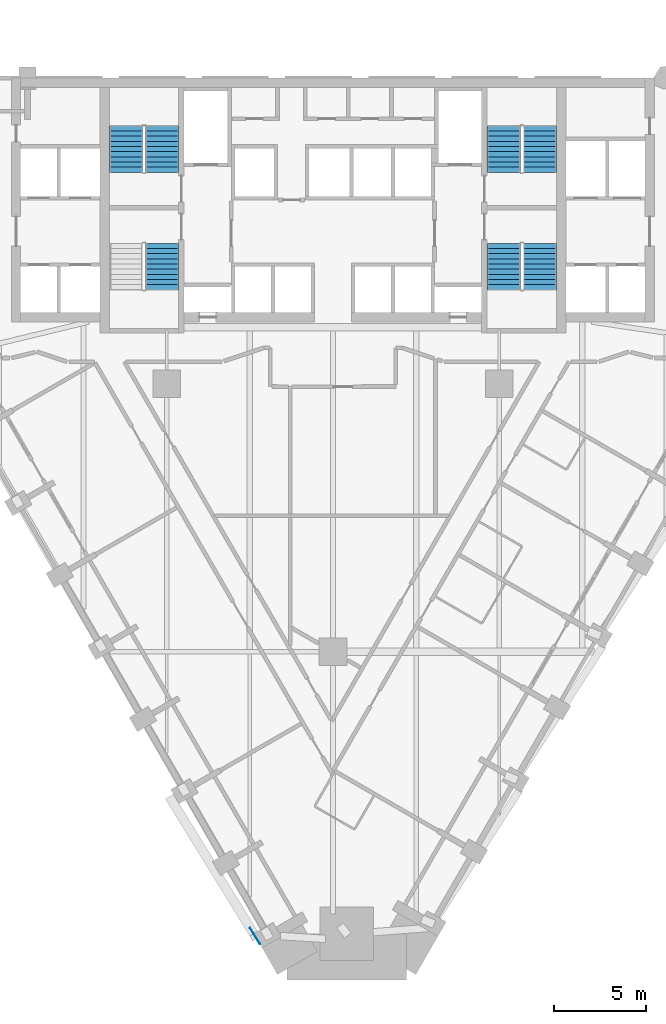
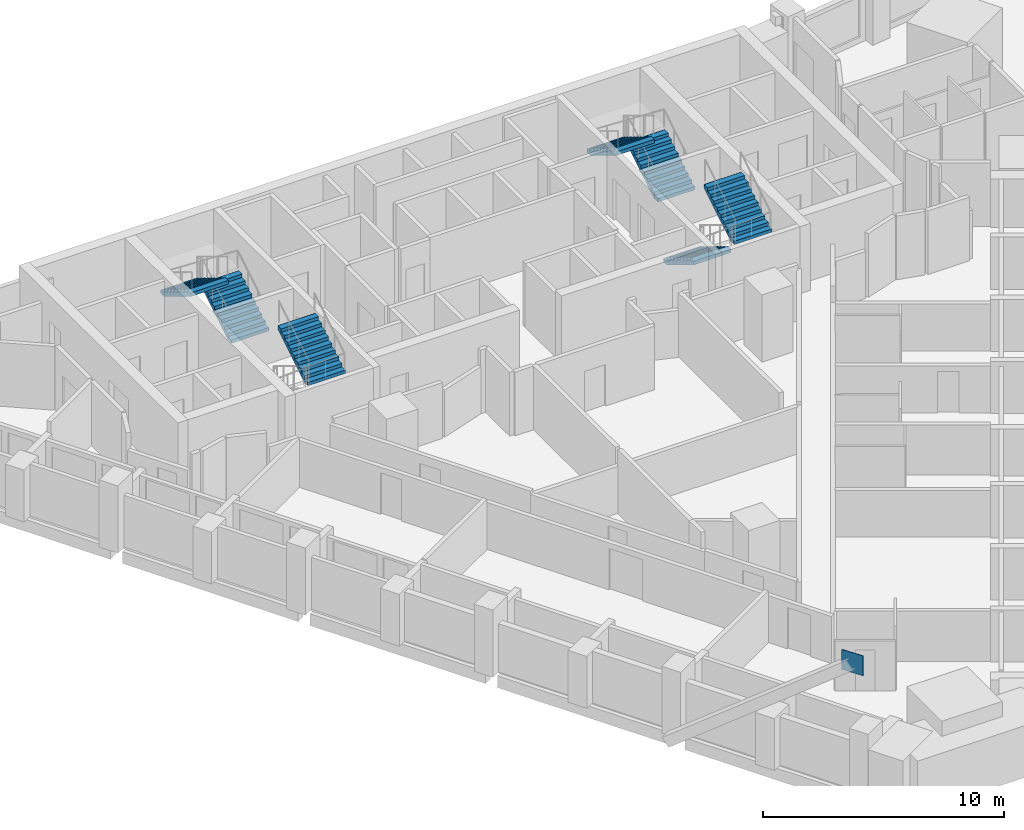
# One storey, part 10 of 11: 7 stair flights, 1 discrete accessory, 4 elements without a shape of their own.
"""IFC4 building model written with IfcOpenShell, lengths in metres."""

from ifc_helpers import new_model, si_unit, direction, frame, origin, origin_2d, place, context, subcontext, project, spatial, rectangle, extrude, faceted_brep, source, transform, mapped, material, type_object, element, aggregate, save


model = new_model("IFC4")

# Units and contexts
model_context = context("Model", 3, precision=1e-05, world=origin(), true_north=direction((0.0, 1.0)))
body_context = subcontext(model_context, "Body", "Model", "MODEL_VIEW")
ifc_project = project(units=[si_unit("LENGTHUNIT", "METRE"), si_unit("AREAUNIT", "SQUARE_METRE"), si_unit("VOLUMEUNIT", "CUBIC_METRE"), si_unit("PLANEANGLEUNIT", "RADIAN"), si_unit("MASSUNIT", "GRAM", prefix="KILO")], contexts=[model_context])

# Site, building, storey
site_placement = place(None, origin())
site = spatial("IfcSite", under=ifc_project, at=site_placement, CompositionType="ELEMENT")
building_placement = place(site_placement, origin())
building = spatial("IfcBuilding", under=site, at=building_placement, Name="Calabash Gate Tower", CompositionType="ELEMENT")
storey_placement = place(building_placement, frame((0.0, 0.0, 119.0)))
storey = spatial("IfcBuildingStorey", under=building, at=storey_placement, Name="L27", CompositionType="ELEMENT", Elevation=119.0)

# Stair, stair flights
ifc_material_1 = material(Name="Concrete C40/50", Category="concrete")
stair_type = type_object("IfcStairType", Name="Exit stair 20 risers of 170 mm", PredefinedType="HALF_TURN_STAIR", material=ifc_material_1)
stair_1_placement = place(storey_placement, origin())
stair_1 = element("IfcStair", 1, at=stair_1_placement, inside=storey, type_object=stair_type, Name="L27 Exit stair ST1", PredefinedType="HALF_TURN_STAIR")
ifc_material_2 = material(Name="Concrete C40/50", Category="concrete")
stair_flight_type = type_object("IfcStairFlightType", Name="Exit stair flight SFL", PredefinedType="STRAIGHT", material=ifc_material_2)
shared_shape = source(origin(), body_context, "Body", "Brep", [
    faceted_brep([(-0.0009765625, -0.89990234375, 0.0), (0.2880859375, -0.89990234375, 0.0), (2.511962890625, -0.89990234375, 1.3544921875), (-0.0009765625, 0.89990234375, 0.0), (2.511962890625, 0.89990234375, 1.3544921875), (0.2880859375, 0.89990234375, 0.0), (2.511962890625, -0.89990234375, 1.5419921875), (2.510986328125, -0.89990234375, 1.5419921875), (2.510986328125, 0.89990234375, 1.5419921875), (2.511962890625, 0.89990234375, 1.5419921875), (2.510986328125, -0.89990234375, 1.530029296875), (2.510986328125, 0.89990234375, 1.530029296875), (2.23193359375, -0.89990234375, 1.530029296875), (2.23193359375, 0.89990234375, 1.530029296875), (2.23193359375, -0.89990234375, 1.360107421875), (2.23193359375, 0.89990234375, 1.360107421875), (1.952880859375, -0.89990234375, 1.360107421875), (1.952880859375, 0.89990234375, 1.360107421875), (1.952880859375, -0.89990234375, 1.18994140625), (1.952880859375, 0.89990234375, 1.18994140625), (1.674072265625, -0.89990234375, 1.18994140625), (1.674072265625, -0.89990234375, 1.02001953125), (1.674072265625, 0.89990234375, 1.02001953125), (1.674072265625, 0.89990234375, 1.18994140625), (1.39501953125, -0.89990234375, 1.02001953125), (1.39501953125, -0.89990234375, 0.85009765625), (1.39501953125, 0.89990234375, 0.85009765625), (1.39501953125, 0.89990234375, 1.02001953125), (1.115966796875, -0.89990234375, 0.85009765625), (1.115966796875, -0.89990234375, 0.679931640625), (1.115966796875, 0.89990234375, 0.679931640625), (1.115966796875, 0.89990234375, 0.85009765625), (0.8369140625, -0.89990234375, 0.679931640625), (0.8369140625, -0.89990234375, 0.510009765625), (0.8369140625, 0.89990234375, 0.510009765625), (0.8369140625, 0.89990234375, 0.679931640625), (0.55810546875, -0.89990234375, 0.510009765625), (0.55810546875, -0.89990234375, 0.340087890625), (0.55810546875, 0.89990234375, 0.340087890625), (0.55810546875, 0.89990234375, 0.510009765625), (0.279052734375, -0.89990234375, 0.340087890625), (0.279052734375, -0.89990234375, 0.169921875), (0.279052734375, 0.89990234375, 0.169921875), (0.279052734375, 0.89990234375, 0.340087890625), (-0.0009765625, -0.89990234375, 0.169921875), (-0.0009765625, 0.89990234375, 0.169921875), (0.2880859375, -0.360107421875, 0.0), (2.511962890625, -0.360107421875, 1.3544921875), (0.2880859375, -0.179931640625, 0.0), (2.511962890625, -0.179931640625, 1.3544921875), (0.2880859375, 0.0, 0.0), (2.511962890625, 0.0, 1.3544921875), (0.2880859375, 0.179931640625, 0.0), (2.511962890625, 0.179931640625, 1.3544921875), (0.2880859375, 0.360107421875, 0.0), (2.511962890625, 0.360107421875, 1.3544921875), (2.511962890625, -0.360107421875, 1.5419921875), (2.511962890625, -0.179931640625, 1.5419921875), (2.511962890625, 0.0, 1.5419921875), (2.511962890625, 0.179931640625, 1.5419921875), (2.511962890625, 0.360107421875, 1.5419921875), (2.510986328125, -0.360107421875, 1.5419921875), (2.510986328125, -0.179931640625, 1.5419921875), (2.510986328125, 0.0, 1.5419921875), (2.510986328125, 0.179931640625, 1.5419921875), (2.510986328125, 0.360107421875, 1.5419921875), (2.510986328125, -0.360107421875, 1.530029296875), (2.510986328125, -0.179931640625, 1.530029296875), (2.510986328125, 0.0, 1.530029296875), (2.510986328125, 0.179931640625, 1.530029296875), (2.510986328125, 0.360107421875, 1.530029296875), (2.23193359375, -0.360107421875, 1.530029296875), (2.23193359375, -0.179931640625, 1.530029296875), (2.23193359375, 0.0, 1.530029296875), (2.23193359375, 0.179931640625, 1.530029296875), (2.23193359375, 0.360107421875, 1.530029296875), (2.23193359375, -0.360107421875, 1.360107421875), (2.23193359375, -0.179931640625, 1.360107421875), (2.23193359375, 0.0, 1.360107421875), (2.23193359375, 0.179931640625, 1.360107421875), (2.23193359375, 0.360107421875, 1.360107421875), (1.952880859375, -0.360107421875, 1.360107421875), (1.952880859375, -0.179931640625, 1.360107421875), (1.952880859375, 0.0, 1.360107421875), (1.952880859375, 0.179931640625, 1.360107421875), (1.952880859375, 0.360107421875, 1.360107421875), (1.952880859375, -0.360107421875, 1.18994140625), (1.952880859375, -0.179931640625, 1.18994140625), (1.952880859375, 0.0, 1.18994140625), (1.952880859375, 0.179931640625, 1.18994140625), (1.952880859375, 0.360107421875, 1.18994140625), (1.674072265625, -0.360107421875, 1.18994140625), (1.674072265625, -0.179931640625, 1.18994140625), (1.674072265625, 0.0, 1.18994140625), (1.674072265625, 0.179931640625, 1.18994140625), (1.674072265625, 0.360107421875, 1.18994140625), (1.674072265625, -0.360107421875, 1.02001953125), (1.674072265625, -0.179931640625, 1.02001953125), (1.674072265625, 0.0, 1.02001953125), (1.674072265625, 0.179931640625, 1.02001953125), (1.674072265625, 0.360107421875, 1.02001953125), (1.39501953125, -0.360107421875, 1.02001953125), (1.39501953125, -0.179931640625, 1.02001953125), (1.39501953125, 0.0, 1.02001953125), (1.39501953125, 0.179931640625, 1.02001953125), (1.39501953125, 0.360107421875, 1.02001953125), (1.39501953125, -0.360107421875, 0.85009765625), (1.39501953125, -0.179931640625, 0.85009765625), (1.39501953125, 0.0, 0.85009765625), (1.39501953125, 0.179931640625, 0.85009765625), (1.39501953125, 0.360107421875, 0.85009765625), (1.115966796875, -0.360107421875, 0.85009765625), (1.115966796875, -0.179931640625, 0.85009765625), (1.115966796875, 0.0, 0.85009765625), (1.115966796875, 0.179931640625, 0.85009765625), (1.115966796875, 0.360107421875, 0.85009765625), (1.115966796875, -0.360107421875, 0.679931640625), (1.115966796875, -0.179931640625, 0.679931640625), (1.115966796875, 0.0, 0.679931640625), (1.115966796875, 0.179931640625, 0.679931640625), (1.115966796875, 0.360107421875, 0.679931640625), (0.8369140625, -0.360107421875, 0.679931640625), (0.8369140625, -0.179931640625, 0.679931640625), (0.8369140625, 0.0, 0.679931640625), (0.8369140625, 0.179931640625, 0.679931640625), (0.8369140625, 0.360107421875, 0.679931640625), (0.8369140625, -0.360107421875, 0.510009765625), (0.8369140625, -0.179931640625, 0.510009765625), (0.8369140625, 0.0, 0.510009765625), (0.8369140625, 0.179931640625, 0.510009765625), (0.8369140625, 0.360107421875, 0.510009765625), (0.55810546875, -0.360107421875, 0.510009765625), (0.55810546875, -0.179931640625, 0.510009765625), (0.55810546875, 0.0, 0.510009765625), (0.55810546875, 0.179931640625, 0.510009765625), (0.55810546875, 0.360107421875, 0.510009765625), (0.55810546875, -0.360107421875, 0.340087890625), (0.55810546875, -0.179931640625, 0.340087890625), (0.55810546875, 0.0, 0.340087890625), (0.55810546875, 0.179931640625, 0.340087890625), (0.55810546875, 0.360107421875, 0.340087890625), (0.279052734375, -0.360107421875, 0.340087890625), (0.279052734375, -0.179931640625, 0.340087890625), (0.279052734375, 0.0, 0.340087890625), (0.279052734375, 0.179931640625, 0.340087890625), (0.279052734375, 0.360107421875, 0.340087890625), (0.279052734375, -0.360107421875, 0.169921875), (0.279052734375, -0.179931640625, 0.169921875), (0.279052734375, 0.0, 0.169921875), (0.279052734375, 0.179931640625, 0.169921875), (0.279052734375, 0.360107421875, 0.169921875), (-0.0009765625, -0.360107421875, 0.169921875), (-0.0009765625, -0.179931640625, 0.169921875), (-0.0009765625, 0.0, 0.169921875), (-0.0009765625, 0.179931640625, 0.169921875), (-0.0009765625, 0.360107421875, 0.169921875), (-0.0009765625, -0.360107421875, 0.0), (-0.0009765625, -0.179931640625, 0.0), (-0.0009765625, 0.0, 0.0), (-0.0009765625, 0.179931640625, 0.0), (-0.0009765625, 0.360107421875, 0.0)], [[[0, 1, 2]], [[3, 4, 5]], [[2, 6, 7]], [[4, 8, 9]], [[2, 7, 10]], [[4, 11, 8]], [[2, 10, 12]], [[4, 13, 11]], [[2, 12, 14]], [[4, 15, 13]], [[2, 14, 16]], [[4, 17, 15]], [[2, 16, 18]], [[4, 19, 17]], [[18, 20, 21]], [[19, 22, 23]], [[2, 18, 21]], [[4, 22, 19]], [[21, 24, 25]], [[22, 26, 27]], [[2, 21, 25]], [[4, 26, 22]], [[25, 28, 29]], [[26, 30, 31]], [[2, 25, 29]], [[4, 30, 26]], [[29, 32, 33]], [[30, 34, 35]], [[2, 29, 33]], [[4, 34, 30]], [[33, 36, 37]], [[34, 38, 39]], [[2, 33, 37]], [[4, 38, 34]], [[37, 40, 41]], [[38, 42, 43]], [[2, 37, 41]], [[4, 42, 38]], [[0, 2, 41]], [[3, 42, 4]], [[41, 44, 0]], [[42, 3, 45]], [[1, 46, 2]], [[46, 47, 2]], [[46, 48, 47]], [[48, 49, 47]], [[48, 50, 49]], [[50, 51, 49]], [[50, 52, 53]], [[50, 53, 51]], [[52, 54, 55]], [[52, 55, 53]], [[54, 5, 4]], [[54, 4, 55]], [[2, 47, 6]], [[47, 56, 6]], [[47, 49, 56]], [[49, 57, 56]], [[49, 51, 57]], [[51, 58, 57]], [[51, 53, 59]], [[51, 59, 58]], [[53, 55, 60]], [[53, 60, 59]], [[55, 4, 9]], [[55, 9, 60]], [[6, 56, 7]], [[56, 61, 7]], [[56, 57, 61]], [[57, 62, 61]], [[57, 58, 62]], [[58, 63, 62]], [[58, 59, 64]], [[58, 64, 63]], [[59, 60, 65]], [[59, 65, 64]], [[60, 9, 8]], [[60, 8, 65]], [[7, 61, 10]], [[61, 66, 10]], [[61, 62, 66]], [[62, 67, 66]], [[62, 63, 67]], [[63, 68, 67]], [[63, 64, 69]], [[63, 69, 68]], [[64, 65, 70]], [[64, 70, 69]], [[65, 8, 11]], [[65, 11, 70]], [[10, 66, 12]], [[66, 71, 12]], [[66, 67, 71]], [[67, 72, 71]], [[67, 68, 72]], [[68, 73, 72]], [[68, 69, 74]], [[68, 74, 73]], [[69, 70, 75]], [[69, 75, 74]], [[70, 11, 13]], [[70, 13, 75]], [[12, 71, 14]], [[71, 76, 14]], [[71, 72, 76]], [[72, 77, 76]], [[72, 73, 77]], [[73, 78, 77]], [[73, 74, 79]], [[73, 79, 78]], [[74, 75, 80]], [[74, 80, 79]], [[75, 13, 15]], [[75, 15, 80]], [[14, 76, 16]], [[76, 81, 16]], [[76, 77, 81]], [[77, 82, 81]], [[77, 78, 82]], [[78, 83, 82]], [[78, 79, 84]], [[78, 84, 83]], [[79, 80, 85]], [[79, 85, 84]], [[80, 15, 17]], [[80, 17, 85]], [[16, 81, 18]], [[81, 86, 18]], [[81, 82, 86]], [[82, 87, 86]], [[82, 83, 87]], [[83, 88, 87]], [[83, 84, 89]], [[83, 89, 88]], [[84, 85, 90]], [[84, 90, 89]], [[85, 17, 19]], [[85, 19, 90]], [[18, 86, 20]], [[86, 91, 20]], [[86, 87, 91]], [[87, 92, 91]], [[87, 88, 92]], [[88, 93, 92]], [[88, 89, 94]], [[88, 94, 93]], [[89, 90, 95]], [[89, 95, 94]], [[90, 19, 23]], [[90, 23, 95]], [[20, 91, 21]], [[91, 96, 21]], [[91, 92, 96]], [[92, 97, 96]], [[92, 93, 97]], [[93, 98, 97]], [[93, 94, 99]], [[93, 99, 98]], [[94, 95, 100]], [[94, 100, 99]], [[95, 23, 22]], [[95, 22, 100]], [[21, 96, 24]], [[96, 101, 24]], [[96, 97, 101]], [[97, 102, 101]], [[97, 98, 102]], [[98, 103, 102]], [[98, 99, 104]], [[98, 104, 103]], [[99, 100, 105]], [[99, 105, 104]], [[100, 22, 27]], [[100, 27, 105]], [[24, 101, 25]], [[101, 106, 25]], [[101, 102, 106]], [[102, 107, 106]], [[102, 103, 107]], [[103, 108, 107]], [[103, 104, 109]], [[103, 109, 108]], [[104, 105, 110]], [[104, 110, 109]], [[105, 27, 26]], [[105, 26, 110]], [[25, 106, 28]], [[106, 111, 28]], [[106, 107, 111]], [[107, 112, 111]], [[107, 108, 112]], [[108, 113, 112]], [[108, 109, 114]], [[108, 114, 113]], [[109, 110, 115]], [[109, 115, 114]], [[110, 26, 31]], [[110, 31, 115]], [[28, 111, 29]], [[111, 116, 29]], [[111, 112, 116]], [[112, 117, 116]], [[112, 113, 117]], [[113, 118, 117]], [[113, 114, 119]], [[113, 119, 118]], [[114, 115, 120]], [[114, 120, 119]], [[115, 31, 30]], [[115, 30, 120]], [[29, 116, 32]], [[116, 121, 32]], [[116, 117, 121]], [[117, 122, 121]], [[117, 118, 122]], [[118, 123, 122]], [[118, 119, 124]], [[118, 124, 123]], [[119, 120, 125]], [[119, 125, 124]], [[120, 30, 35]], [[120, 35, 125]], [[32, 121, 33]], [[121, 126, 33]], [[121, 122, 126]], [[122, 127, 126]], [[122, 123, 127]], [[123, 128, 127]], [[123, 124, 129]], [[123, 129, 128]], [[124, 125, 130]], [[124, 130, 129]], [[125, 35, 34]], [[125, 34, 130]], [[33, 126, 36]], [[126, 131, 36]], [[126, 127, 131]], [[127, 132, 131]], [[127, 128, 132]], [[128, 133, 132]], [[128, 129, 134]], [[128, 134, 133]], [[129, 130, 135]], [[129, 135, 134]], [[130, 34, 39]], [[130, 39, 135]], [[36, 131, 37]], [[131, 136, 37]], [[131, 132, 136]], [[132, 137, 136]], [[132, 133, 137]], [[133, 138, 137]], [[133, 134, 139]], [[133, 139, 138]], [[134, 135, 140]], [[134, 140, 139]], [[135, 39, 38]], [[135, 38, 140]], [[37, 136, 40]], [[136, 141, 40]], [[136, 137, 141]], [[137, 142, 141]], [[137, 138, 142]], [[138, 143, 142]], [[138, 139, 144]], [[138, 144, 143]], [[139, 140, 145]], [[139, 145, 144]], [[140, 38, 43]], [[140, 43, 145]], [[40, 141, 41]], [[141, 146, 41]], [[141, 142, 146]], [[142, 147, 146]], [[142, 143, 147]], [[143, 148, 147]], [[143, 144, 149]], [[143, 149, 148]], [[144, 145, 150]], [[144, 150, 149]], [[145, 43, 42]], [[145, 42, 150]], [[41, 146, 44]], [[146, 151, 44]], [[146, 147, 151]], [[147, 152, 151]], [[147, 148, 152]], [[148, 153, 152]], [[148, 149, 154]], [[148, 154, 153]], [[149, 150, 155]], [[149, 155, 154]], [[150, 42, 45]], [[150, 45, 155]], [[44, 151, 0]], [[151, 156, 0]], [[151, 152, 156]], [[152, 157, 156]], [[152, 153, 157]], [[153, 158, 157]], [[153, 154, 159]], [[153, 159, 158]], [[154, 155, 160]], [[154, 160, 159]], [[155, 45, 3]], [[155, 3, 160]], [[0, 156, 1]], [[156, 46, 1]], [[156, 157, 46]], [[157, 48, 46]], [[157, 158, 48]], [[158, 50, 48]], [[158, 159, 52]], [[158, 52, 50]], [[159, 160, 54]], [[159, 54, 52]], [[160, 3, 5]], [[160, 5, 54]]]),
])
stair_flight_1_placement = place(storey_placement, frame((-9.25, 13.95263671875, 0.0), z_axis=(0.0, 0.0, 1.0), x_axis=(0.0, 1.0, 0.0)))
stair_flight_1 = element("IfcStairFlight", 2, at=stair_flight_1_placement, type_object=stair_flight_type, Name="ST1 flight 1", NumberOfRisers=10, NumberOfTreads=9, PredefinedType="STRAIGHT", RiserHeight=0.17, TreadLength=0.279, context=body_context, shape_type="MappedRepresentation", body=[
    mapped(shared_shape, transform((0.0, 0.0, 0.0), scale=1.0)),
])
stair_flight_2_placement = place(storey_placement, frame((-11.199951171875, 16.463623046875, 1.699951171875), z_axis=(0.0, 0.0, 1.0), x_axis=(0.0, -1.0, 0.0)))
stair_flight_2 = element("IfcStairFlight", 3, at=stair_flight_2_placement, type_object=stair_flight_type, Name="ST1 flight 2", NumberOfRisers=10, NumberOfTreads=9, PredefinedType="STRAIGHT", RiserHeight=0.17, TreadLength=0.279, context=body_context, shape_type="MappedRepresentation", body=[
    mapped(shared_shape, transform((0.0, 0.0, 0.0), scale=1.0)),
])
aggregate(stair_1, [stair_flight_1, stair_flight_2])

# Stair, stair flight
stair_2_placement = place(storey_placement, origin())
stair_2 = element("IfcStair", 4, at=stair_2_placement, inside=storey, type_object=stair_type, Name="L27 Exit stair ST2", PredefinedType="HALF_TURN_STAIR")
stair_flight_3_placement = place(storey_placement, frame((-9.25, 7.591552734375, 1.699951171875), z_axis=(0.0, 0.0, 1.0), x_axis=(0.0, 1.0, 0.0)))
stair_flight_3 = element("IfcStairFlight", 5, at=stair_flight_3_placement, type_object=stair_flight_type, Name="ST2 flight 2", NumberOfRisers=10, NumberOfTreads=9, PredefinedType="STRAIGHT", RiserHeight=0.17, TreadLength=0.279, context=body_context, shape_type="MappedRepresentation", body=[
    mapped(shared_shape, transform((0.0, 0.0, 0.0), scale=1.0)),
])
aggregate(stair_2, [stair_flight_3])

# Stair, stair flights
stair_3_placement = place(storey_placement, origin())
stair_3 = element("IfcStair", 6, at=stair_3_placement, inside=storey, type_object=stair_type, Name="L27 Exit stair ST3", PredefinedType="HALF_TURN_STAIR")
stair_flight_4_placement = place(storey_placement, frame((11.199951171875, 13.95263671875, 0.0), z_axis=(0.0, 0.0, 1.0), x_axis=(0.0, 1.0, 0.0)))
stair_flight_4 = element("IfcStairFlight", 7, at=stair_flight_4_placement, type_object=stair_flight_type, Name="ST3 flight 1", NumberOfRisers=10, NumberOfTreads=9, PredefinedType="STRAIGHT", RiserHeight=0.17, TreadLength=0.279, context=body_context, shape_type="MappedRepresentation", body=[
    mapped(shared_shape, transform((0.0, 0.0, 0.0), scale=1.0)),
])
stair_flight_5_placement = place(storey_placement, frame((9.25, 16.463623046875, 1.699951171875), z_axis=(0.0, 0.0, 1.0), x_axis=(0.0, -1.0, 0.0)))
stair_flight_5 = element("IfcStairFlight", 8, at=stair_flight_5_placement, type_object=stair_flight_type, Name="ST3 flight 2", NumberOfRisers=10, NumberOfTreads=9, PredefinedType="STRAIGHT", RiserHeight=0.17, TreadLength=0.279, context=body_context, shape_type="MappedRepresentation", body=[
    mapped(shared_shape, transform((0.0, 0.0, 0.0), scale=1.0)),
])
aggregate(stair_3, [stair_flight_4, stair_flight_5])

stair_4_placement = place(storey_placement, origin())
stair_4 = element("IfcStair", 9, at=stair_4_placement, inside=storey, type_object=stair_type, Name="L27 Exit stair ST4", PredefinedType="HALF_TURN_STAIR")
stair_flight_6_placement = place(storey_placement, frame((9.25, 10.1025390625, 0.0), z_axis=(0.0, 0.0, 1.0), x_axis=(0.0, -1.0, 0.0)))
stair_flight_6 = element("IfcStairFlight", 10, at=stair_flight_6_placement, type_object=stair_flight_type, Name="ST4 flight 1", NumberOfRisers=10, NumberOfTreads=9, PredefinedType="STRAIGHT", RiserHeight=0.17, TreadLength=0.279, context=body_context, shape_type="MappedRepresentation", body=[
    mapped(shared_shape, transform((0.0, 0.0, 0.0), scale=1.0)),
])
stair_flight_7_placement = place(storey_placement, frame((11.199951171875, 7.591552734375, 1.699951171875), z_axis=(0.0, 0.0, 1.0), x_axis=(0.0, 1.0, 0.0)))
stair_flight_7 = element("IfcStairFlight", 11, at=stair_flight_7_placement, type_object=stair_flight_type, Name="ST4 flight 2", NumberOfRisers=10, NumberOfTreads=9, PredefinedType="STRAIGHT", RiserHeight=0.17, TreadLength=0.279, context=body_context, shape_type="MappedRepresentation", body=[
    mapped(shared_shape, transform((0.0, 0.0, 0.0), scale=1.0)),
])
aggregate(stair_4, [stair_flight_6, stair_flight_7])

# Discrete accessory
ifc_material_3 = material(Name="Steel ASTM A572 Gr50", Category="steel")
discrete_accessory_type = type_object("IfcDiscreteAccessoryType", Name="Connection plate 25", PredefinedType="BRACKET", material=ifc_material_3)
discrete_accessory_placement = place(storey_placement, frame((-4.216064453125, -27.382080078125, 6.293701171875), z_axis=(0.0, 0.0, 1.0), x_axis=(0.524102758257, -0.851655035086, 0.0)))
element("IfcDiscreteAccessory", 12, at=discrete_accessory_placement, inside=storey, type_object=discrete_accessory_type, Name="Connection plate Mega-brace SW Z2 15 end", PredefinedType="BRACKET", context=body_context, shape_type="SweptSolid", body=[
    extrude(rectangle(XDim=1.0126953125, YDim=0.02490234375, at=origin_2d()), origin(), (0.0, 0.0, 1.0), 1.0126953125),
])

save(model, "model.ifc")
